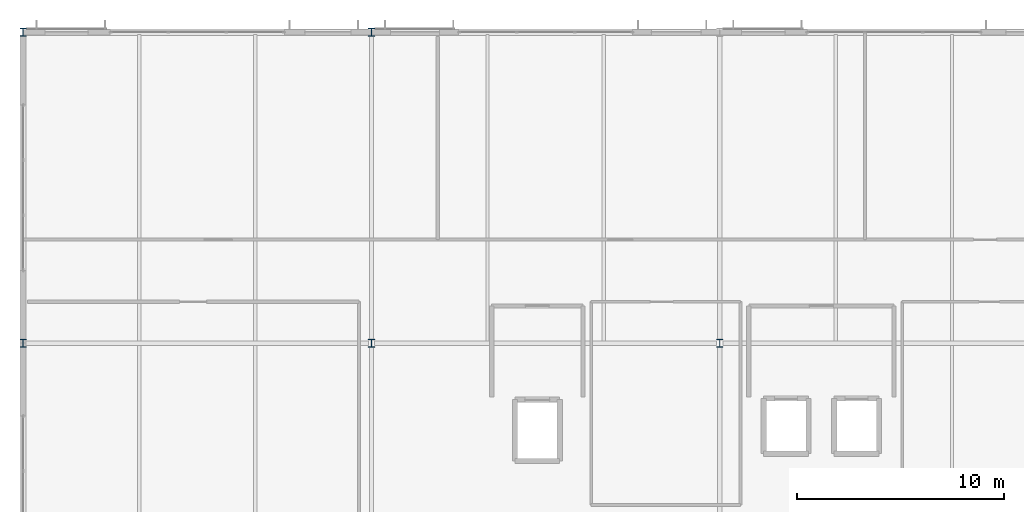
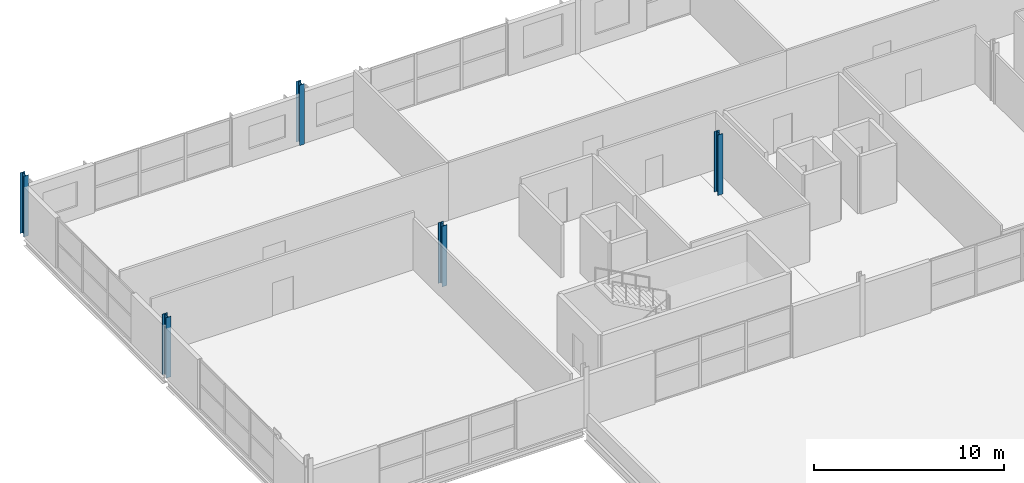
# One storey, part 3 of 36: 5 columns.
"""IFC4 building model written with IfcOpenShell, lengths in metres."""

from ifc_helpers import new_model, si_unit, direction, frame, origin, origin_2d, place, context, subcontext, project, spatial, i_section, extrude, material, material_profile, profile_set, type_object, element, save


model = new_model("IFC4")

# Units and contexts
model_context = context("Model", 3, precision=1e-05, world=origin(), true_north=direction((0.0, 1.0)))
body_context = subcontext(model_context, "Body", "Model", "MODEL_VIEW")
ifc_project = project(units=[si_unit("LENGTHUNIT", "METRE"), si_unit("AREAUNIT", "SQUARE_METRE"), si_unit("VOLUMEUNIT", "CUBIC_METRE"), si_unit("PLANEANGLEUNIT", "RADIAN"), si_unit("MASSUNIT", "GRAM", prefix="KILO")], contexts=[model_context])

# Site, building, storey
site_placement = place(None, origin())
site = spatial("IfcSite", under=ifc_project, at=site_placement, CompositionType="ELEMENT")
building_placement = place(site_placement, origin())
building = spatial("IfcBuilding", under=site, at=building_placement, Name="Kimbaza Rail Terminus", CompositionType="ELEMENT")
storey_placement = place(building_placement, frame((0.0, 0.0, 21.0)))
storey = spatial("IfcBuildingStorey", under=building, at=storey_placement, Name="L04", CompositionType="ELEMENT", Elevation=21.0)

# Columns
ifc_material = material(Name="Steel S355", Category="steel")
ifc_material_profile = material_profile(ifc_material, i_section(OverallWidth=0.300048828125, OverallDepth=0.39990234375, WebThickness=0.013427734375, FlangeThickness=0.02392578125, FilletRadius=0.027099609375, at=origin_2d()), Name="HEB 400")
ifc_profile_set = profile_set([ifc_material_profile], Name="Steel S355")
column_type = type_object("IfcColumnType", Name="STR-COL-HEB400", PredefinedType="COLUMN", material=ifc_profile_set)
for number, where, z_axis, x_axis, name in (
    (1, (55.199951171875, 118.0, 0.0), (0.0, 0.0, 1.0), (1.0, 0.0, 0.0), "Operations Column L04 (0,1)"),
    (2, (55.199951171875, 133.0, 0.0), (0.0, 0.0, 1.0), (1.0, 0.0, 0.0), "Operations Column L04 (0,2)"),
    (3, (72.0, 118.0, 0.0), (0.0, 0.0, 1.0), (1.0, 0.0, 0.0), "Operations Column L04 (1,1)"),
    (4, (72.0, 133.0, 0.0), (0.0, 0.0, 1.0), (1.0, 0.0, 0.0), "Operations Column L04 (1,2)"),
    (5, (88.800048828125, 118.0, 0.0), (0.0, 0.0, 1.0), (1.0, 0.0, 0.0), "Operations Column L04 (2,1)"),
):
    element("IfcColumn", number, at=place(storey_placement, frame(where, z_axis=z_axis, x_axis=x_axis)), inside=storey, type_object=column_type, Name=name, PredefinedType="COLUMN", context=body_context, shape_type="SweptSolid", body=[
        extrude(i_section(OverallWidth=0.300048828125, OverallDepth=0.39990234375, WebThickness=0.013427734375, FlangeThickness=0.02392578125, FilletRadius=0.027099609375, at=origin_2d()), origin(), (0.0, 0.0, 1.0), 3.89990234375),
    ])

save(model, "model.ifc")
